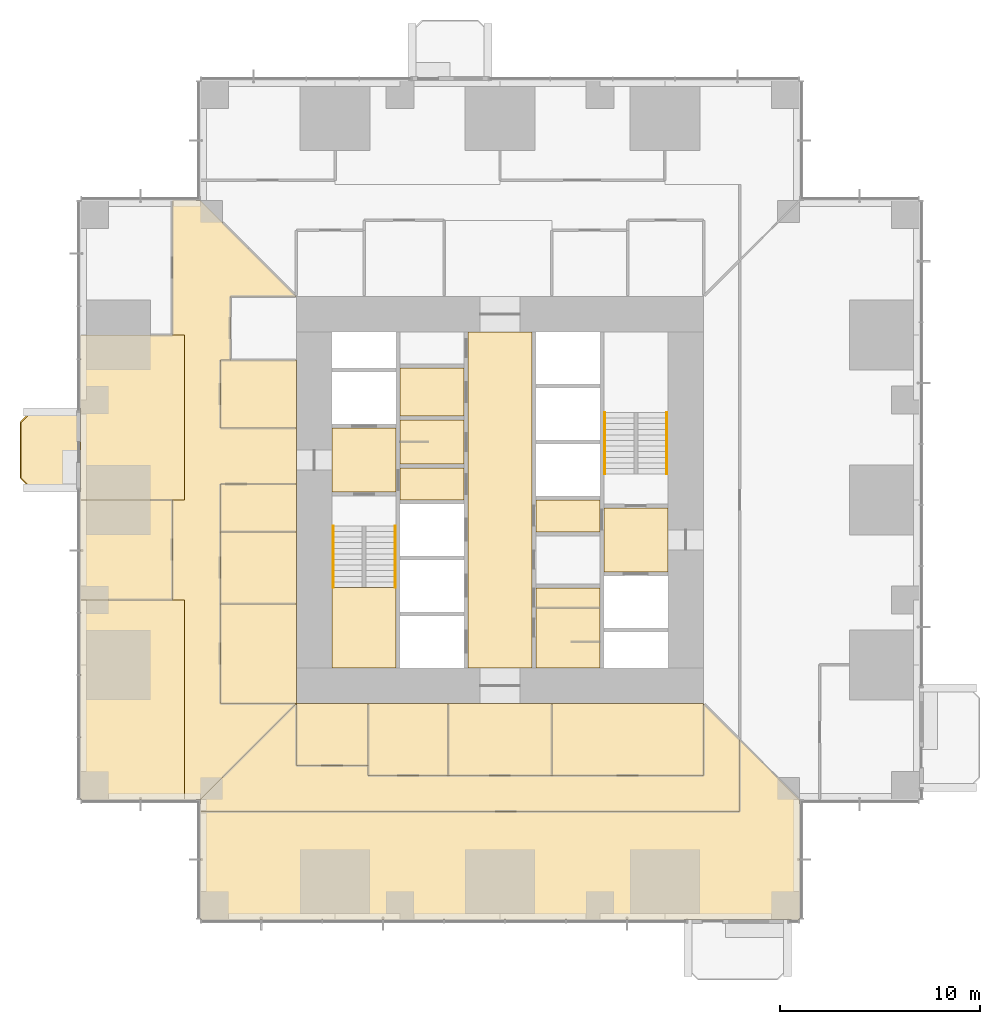
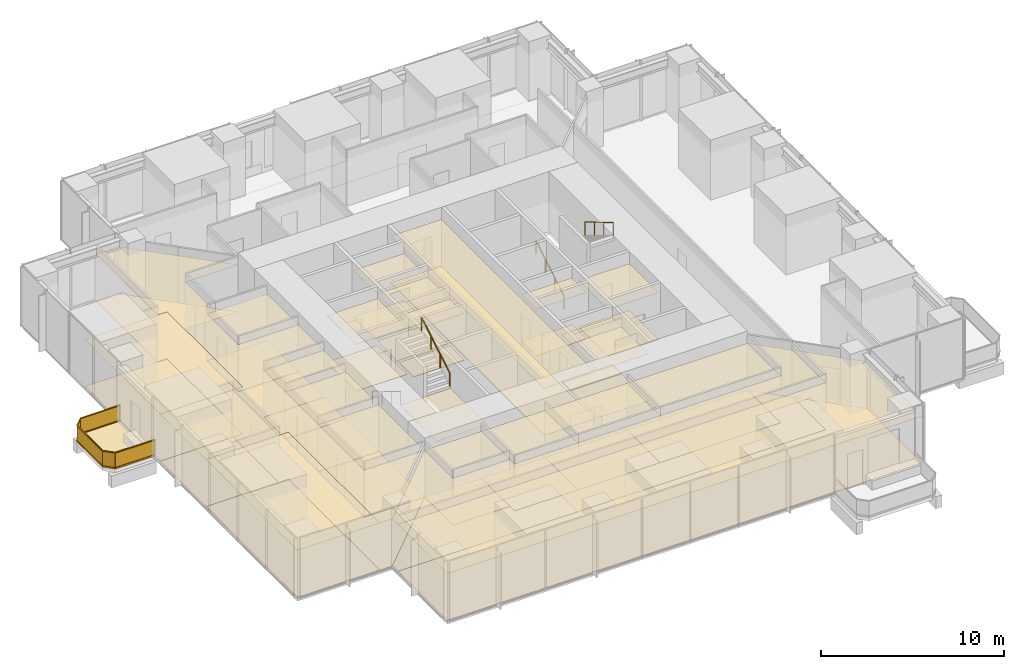
# One storey, part 13 of 15: 48 coverings, 5 railings.
"""IFC4 building model written with IfcOpenShell, lengths in metres."""

import ifcopenshell
import ifcopenshell.guid

model = None  # the IFC model being written
_history = None  # IfcOwnerHistory: only IFC2X3 demands one
_inside = {}  # id of a spatial element -> (the spatial element, [elements in it])
_under = {}  # id of a project, library or spatial element -> (it, [spatial elements below it])
_declared = {}  # id of a project -> (the project, [libraries it declares])
_typed = {}  # id of a type object -> (the type object, [elements of that type])
_made_of = {}  # id of a material, layer set ... -> (it, [elements and type objects made of it])


def new_model(schema):
    """Start an empty IFC model of exactly this schema.

    Asked for "IFC4X3", IfcOpenShell would pick the latest addendum, in which some entities
    have other attributes; the version numbers below select the first issue.
    IFC2X3 requires an IfcOwnerHistory on every rooted entity: one is made here for all.
    """
    global model, _history
    if schema == "IFC4X3":
        model = ifcopenshell.file(schema_version=(4, 3, 0, 0))
    else:
        model = ifcopenshell.file(schema=schema)
    _inside.clear()
    _under.clear()
    _declared.clear()
    _typed.clear()
    _made_of.clear()
    _history = None
    if model.schema == "IFC2X3":
        org = make("IfcOrganization", Name="unknown")
        user = make(
            "IfcPersonAndOrganization",
            ThePerson=make("IfcPerson", FamilyName="unknown"),
            TheOrganization=org,
        )
        app = make(
            "IfcApplication",
            ApplicationDeveloper=org,
            Version="unknown",
            ApplicationFullName="unknown",
            ApplicationIdentifier="unknown",
        )
        _history = make(
            "IfcOwnerHistory",
            OwningUser=user,
            OwningApplication=app,
            ChangeAction="ADDED",
            CreationDate=0,
        )
    return model


def make(cls, **values):
    """One entity of the class cls with the attributes given. An attribute that is None is left unset."""
    return model.create_entity(
        cls, **{name: value for name, value in values.items() if value is not None}
    )


def rooted(cls, **values):
    """An entity with a GlobalId (a new one), such as an element, a storey or a relation."""
    return make(cls, GlobalId=ifcopenshell.guid.new(), OwnerHistory=_history, **values)


def si_unit(unit_type, name, prefix=None):
    """IfcSIUnit, for example si_unit("LENGTHUNIT", "METRE", prefix="MILLI")."""
    return make("IfcSIUnit", UnitType=unit_type, Prefix=prefix, Name=name)


def assignment(units):
    """IfcUnitAssignment: the units of a project."""
    return None if units is None else make("IfcUnitAssignment", Units=units)


def point(xyz):
    """IfcCartesianPoint."""
    return None if xyz is None else make("IfcCartesianPoint", Coordinates=xyz)


def direction(xyz):
    """IfcDirection."""
    return None if xyz is None else make("IfcDirection", DirectionRatios=xyz)


def frame(location, z_axis=None, x_axis=None):
    """IfcAxis2Placement3D, a coordinate frame: its origin and axes. An axis left out is left unset."""
    return make(
        "IfcAxis2Placement3D",
        Location=point(location),
        Axis=direction(z_axis),
        RefDirection=direction(x_axis),
    )


def frame_2d(location, x_axis=None):
    """IfcAxis2Placement2D, a coordinate frame in the plane: its origin and x axis."""
    return make(
        "IfcAxis2Placement2D", Location=point(location), RefDirection=direction(x_axis)
    )


def origin():
    """The frame at (0, 0, 0) with its axes left unset."""
    return frame((0.0, 0.0, 0.0))


def origin_2d():
    """The frame at (0, 0) in the plane with its x axis left unset."""
    return frame_2d((0.0, 0.0))


def place(relative_to, where):
    """IfcLocalPlacement: puts the frame where relative to a parent placement (None: the world)."""
    return make(
        "IfcLocalPlacement", PlacementRelTo=relative_to, RelativePlacement=where
    )


def context(
    kind, dimensions, precision=None, world=None, true_north=None, identifier=None
):
    """IfcGeometricRepresentationContext, for example the 3D "Model" context."""
    return make(
        "IfcGeometricRepresentationContext",
        ContextIdentifier=identifier,
        ContextType=kind,
        CoordinateSpaceDimension=dimensions,
        Precision=precision,
        WorldCoordinateSystem=world,
        TrueNorth=true_north,
    )


def subcontext(parent, identifier, kind, view, scale=None):
    """IfcGeometricRepresentationSubContext, for example "Body" below "Model"."""
    return make(
        "IfcGeometricRepresentationSubContext",
        ContextIdentifier=identifier,
        ContextType=kind,
        ParentContext=parent,
        TargetScale=scale,
        TargetView=view,
    )


def project(units=None, contexts=None):
    """IfcProject with its units and contexts."""
    return rooted(
        "IfcProject",
        Name="project",
        RepresentationContexts=contexts,
        UnitsInContext=assignment(units),
    )


def spatial(cls, under=None, at=None, **own):
    """A site, building, storey or space (cls), placed at a placement, below another one or the project."""
    s = rooted(cls, ObjectPlacement=at, **own)
    if under is not None:
        _under.setdefault(under.id(), (under, []))[1].append(s)
    return s


def polyline(points):
    """IfcPolyline through the points."""
    return make("IfcPolyline", Points=[point(p) for p in points])


def profile(cls, at=None, kind="AREA", **sizes):
    """A parametric profile (cls). Its sizes go by their IFC names, for example OverallWidth=200.0."""
    return make(cls, ProfileType=kind, Position=at, **sizes)


def rectangle(**sizes):
    """IfcRectangleProfileDef."""
    return profile("IfcRectangleProfileDef", **sizes)


def circle(**sizes):
    """IfcCircleProfileDef."""
    return profile("IfcCircleProfileDef", **sizes)


def outline(outer, holes=None, kind="AREA"):
    """IfcArbitraryClosedProfileDef: a profile drawn as a closed curve; with holes, ...WithVoids."""
    if holes is None:
        return make("IfcArbitraryClosedProfileDef", ProfileType=kind, OuterCurve=outer)
    return make(
        "IfcArbitraryProfileDefWithVoids",
        ProfileType=kind,
        OuterCurve=outer,
        InnerCurves=holes,
    )


def extrude(swept, where, along, depth):
    """IfcExtrudedAreaSolid: the profile swept, set in the frame where, extruded along a direction by depth."""
    return make(
        "IfcExtrudedAreaSolid",
        SweptArea=swept,
        Position=where,
        ExtrudedDirection=direction(along),
        Depth=depth,
    )


def shape(context_of_items, identifier, shape_type, items):
    """IfcShapeRepresentation: the items that make up one representation, for example the "Body"."""
    return make(
        "IfcShapeRepresentation",
        ContextOfItems=context_of_items,
        RepresentationIdentifier=identifier,
        RepresentationType=shape_type,
        Items=items,
    )


def material(Name=None, Category=None):
    """IfcMaterial."""
    return make("IfcMaterial", Name=Name, Category=Category)


def layer(
    of_material, thickness, ventilated=None, Name=None, Category=None, Priority=None
):
    """IfcMaterialLayer: one layer of a wall or slab, of a material (None: an air gap)."""
    return make(
        "IfcMaterialLayer",
        Material=of_material,
        LayerThickness=thickness,
        IsVentilated=ventilated,
        Name=Name,
        Category=Category,
        Priority=Priority,
    )


def layer_set(layers, Name=None):
    """IfcMaterialLayerSet."""
    return make("IfcMaterialLayerSet", MaterialLayers=layers, LayerSetName=Name)


def made_of(thing, what):
    """Note that an element or type object is made of a material, layer set ...; save() writes the relation."""
    if what is not None:
        _made_of.setdefault(what.id(), (what, []))[1].append(thing)
    return thing


def type_object(cls, material=None, **own):
    """A type object (cls), such as IfcWallType, which elements share."""
    return made_of(rooted(cls, **own), material)


def element(
    cls,
    number,
    at=None,
    inside=None,
    cuts=None,
    type_object=None,
    material=None,
    context=None,
    identifier="Body",
    shape_type=None,
    held_by="IfcProductDefinitionShape",
    body=None,
    shapes=None,
    **own,
):
    """One element of the class cls, such as IfcWall. Its Tag is "e" and its number.

    at: its placement. inside: the storey or other place that contains it. cuts: it is an
    opening in that element (IfcRelVoidsElement). A single representation is given by context,
    identifier, shape_type and body (its items); several are given by shapes. held_by: the class
    of the entity that holds the representations. save() writes the other relations.
    """
    e = rooted(cls, Tag="e%d" % number, ObjectPlacement=at, **own)
    if body is not None:
        shapes = [shape(context, identifier, shape_type, body)]
    if shapes is not None:
        e.Representation = make(held_by, Representations=shapes)
    if inside is not None:
        _inside.setdefault(inside.id(), (inside, []))[1].append(e)
    if cuts is not None:
        rooted(
            "IfcRelVoidsElement", RelatingBuildingElement=cuts, RelatedOpeningElement=e
        )
    if type_object is not None:
        _typed.setdefault(type_object.id(), (type_object, []))[1].append(e)
    return made_of(e, material)


def aggregate(whole, parts):
    """IfcRelAggregates: a whole, such as a stair, and the parts it consists of."""
    return rooted("IfcRelAggregates", RelatingObject=whole, RelatedObjects=parts)


def save(model, path):
    """Write the relations noted so far, then the file.

    IfcRelAggregates (storeys below a building ...), IfcRelContainedInSpatialStructure (elements
    in a storey), IfcRelDefinesByType, IfcRelAssociatesMaterial and IfcRelDeclares: one each for
    every whole, place, type object, material and project.
    """
    for whole, parts in _under.values():
        aggregate(whole, parts)
    for where, things in _inside.values():
        rooted(
            "IfcRelContainedInSpatialStructure",
            RelatedElements=things,
            RelatingStructure=where,
        )
    for kind, things in _typed.values():
        rooted("IfcRelDefinesByType", RelatedObjects=things, RelatingType=kind)
    for what, things in _made_of.values():
        rooted("IfcRelAssociatesMaterial", RelatedObjects=things, RelatingMaterial=what)
    for by, libraries in _declared.values():
        rooted("IfcRelDeclares", RelatingContext=by, RelatedDefinitions=libraries)
    model.write(path)


model = new_model("IFC4")

# Units and contexts
model_context = context("Model", 3, precision=1e-05, world=origin(), true_north=direction((0.0, 1.0)))
body_context = subcontext(model_context, "Body", "Model", "MODEL_VIEW")
ifc_project = project(units=[si_unit("LENGTHUNIT", "METRE"), si_unit("AREAUNIT", "SQUARE_METRE"), si_unit("VOLUMEUNIT", "CUBIC_METRE"), si_unit("PLANEANGLEUNIT", "RADIAN"), si_unit("MASSUNIT", "GRAM", prefix="KILO")], contexts=[model_context])

# Site, building, storey
site_placement = place(None, origin())
site = spatial("IfcSite", under=ifc_project, at=site_placement, CompositionType="ELEMENT")
building_placement = place(site_placement, origin())
building = spatial("IfcBuilding", under=site, at=building_placement, Name="Svetlomir Tower", CompositionType="ELEMENT")
storey_placement = place(building_placement, frame((0.0, 0.0, 34.5)))
storey = spatial("IfcBuildingStorey", under=building, at=storey_placement, Name="L07", CompositionType="ELEMENT", Elevation=34.5)

# Railing
ifc_material_1 = material(Name="Bronze anodised aluminium and laminated glass", Category="aluminium")
railing_type_1 = type_object("IfcRailingType", Name="BALCONY GUARD GR1 1100", PredefinedType="GUARDRAIL", material=ifc_material_1)
railing_1_placement = place(storey_placement, frame((0.0, 25.39990234375, 0.0)))
element("IfcRailing", 1, at=railing_1_placement, inside=storey, type_object=railing_type_1, Name="Balcony guard W L07", PredefinedType="GUARDRAIL", context=body_context, shape_type="SweptSolid", body=[
    extrude(rectangle(XDim=0.06005859375, YDim=0.10009765625, at=origin_2d()), frame((0.0, 0.0, 0.050048828125), z_axis=(-1.0, 0.0, 0.0), x_axis=(0.0, -1.0, 0.0)), (0.0, 0.0, 1.0), 2.5),
    extrude(rectangle(XDim=0.021484375, YDim=0.960205078125, at=origin_2d()), frame((0.0, 0.0, 0.580078125), z_axis=(-1.0, 0.0, 0.0), x_axis=(0.0, -1.0, 0.0)), (0.0, 0.0, 1.0), 2.5),
    extrude(rectangle(XDim=0.06005859375, YDim=0.0400390625, at=origin_2d()), frame((0.0, 0.0, 1.080078125), z_axis=(-1.0, 0.0, 0.0), x_axis=(0.0, -1.0, 0.0)), (0.0, 0.0, 1.0), 2.5),
    extrude(rectangle(XDim=0.06005859375, YDim=0.10009765625, at=origin_2d()), frame((-2.5, 0.0, 0.050048828125), z_axis=(-0.707106781187, -0.707106781187, 0.0), x_axis=(0.707106781187, -0.707106781187, 0.0)), (0.0, 0.0, 1.0), 0.70703125),
    extrude(rectangle(XDim=0.021484375, YDim=0.960205078125, at=origin_2d()), frame((-2.5, 0.0, 0.580078125), z_axis=(-0.707106781187, -0.707106781187, 0.0), x_axis=(0.707106781187, -0.707106781187, 0.0)), (0.0, 0.0, 1.0), 0.70703125),
    extrude(rectangle(XDim=0.06005859375, YDim=0.0400390625, at=origin_2d()), frame((-2.5, 0.0, 1.080078125), z_axis=(-0.707106781187, -0.707106781187, 0.0), x_axis=(0.707106781187, -0.707106781187, 0.0)), (0.0, 0.0, 1.0), 0.70703125),
    extrude(rectangle(XDim=0.06005859375, YDim=0.10009765625, at=origin_2d()), frame((-3.0, -0.5, 0.050048828125), z_axis=(0.0, -1.0, 0.0), x_axis=(1.0, 0.0, 0.0)), (0.0, 0.0, 1.0), 2.7998046875),
    extrude(rectangle(XDim=0.021484375, YDim=0.960205078125, at=origin_2d()), frame((-3.0, -0.5, 0.580078125), z_axis=(0.0, -1.0, 0.0), x_axis=(1.0, 0.0, 0.0)), (0.0, 0.0, 1.0), 2.7998046875),
    extrude(rectangle(XDim=0.06005859375, YDim=0.0400390625, at=origin_2d()), frame((-3.0, -0.5, 1.080078125), z_axis=(0.0, -1.0, 0.0), x_axis=(1.0, 0.0, 0.0)), (0.0, 0.0, 1.0), 2.7998046875),
    extrude(rectangle(XDim=0.06005859375, YDim=0.10009765625, at=origin_2d()), frame((-3.0, -3.2998046875, 0.050048828125), z_axis=(0.707106781187, -0.707106781187, 0.0), x_axis=(0.707106781187, 0.707106781187, 0.0)), (0.0, 0.0, 1.0), 0.70703125),
    extrude(rectangle(XDim=0.021484375, YDim=0.960205078125, at=origin_2d()), frame((-3.0, -3.2998046875, 0.580078125), z_axis=(0.707106781187, -0.707106781187, 0.0), x_axis=(0.707106781187, 0.707106781187, 0.0)), (0.0, 0.0, 1.0), 0.70703125),
    extrude(rectangle(XDim=0.06005859375, YDim=0.0400390625, at=origin_2d()), frame((-3.0, -3.2998046875, 1.080078125), z_axis=(0.707106781187, -0.707106781187, 0.0), x_axis=(0.707106781187, 0.707106781187, 0.0)), (0.0, 0.0, 1.0), 0.70703125),
    extrude(rectangle(XDim=0.06005859375, YDim=0.10009765625, at=origin_2d()), frame((-2.5, -3.7998046875, 0.050048828125), z_axis=(1.0, 0.0, 0.0), x_axis=(0.0, 1.0, 0.0)), (0.0, 0.0, 1.0), 2.5),
    extrude(rectangle(XDim=0.021484375, YDim=0.960205078125, at=origin_2d()), frame((-2.5, -3.7998046875, 0.580078125), z_axis=(1.0, 0.0, 0.0), x_axis=(0.0, 1.0, 0.0)), (0.0, 0.0, 1.0), 2.5),
    extrude(rectangle(XDim=0.06005859375, YDim=0.0400390625, at=origin_2d()), frame((-2.5, -3.7998046875, 1.080078125), z_axis=(1.0, 0.0, 0.0), x_axis=(0.0, 1.0, 0.0)), (0.0, 0.0, 1.0), 2.5),
])

# Coverings
ifc_material_2 = material(Name="Granite paving slabs on pedestals", Category="masonry")
ifc_layer_1 = layer(ifc_material_2, 0.0400390625)
ifc_layer_set_1 = layer_set([ifc_layer_1], Name="Granite paving slabs on pedestals")
covering_type_1 = type_object("IfcCoveringType", Name="BALCONY PAVING 40", PredefinedType="USERDEFINED", material=ifc_layer_set_1)
covering_1_placement = place(storey_placement, origin())
element("IfcCovering", 2, at=covering_1_placement, inside=storey, type_object=covering_type_1, Name="Balcony paving W L07", ObjectType="BALCONY PAVING", PredefinedType="USERDEFINED", context=body_context, shape_type="SweptSolid", body=[
    extrude(outline(polyline([(-2.5, 21.60009765625), (0.0, 21.60009765625), (0.0, 25.39990234375), (-2.5, 25.39990234375), (-3.0, 24.89990234375), (-3.0, 22.10009765625), (-2.5, 21.60009765625)])), origin(), (0.0, 0.0, 1.0), 0.0400390625),
])
ifc_material_3 = material(Name="Carpet tile", Category="textile")
ifc_layer_2 = layer(ifc_material_3, 0.010009765625)
ifc_layer_set_2 = layer_set([ifc_layer_2], Name="Carpet tile")
covering_type_2 = type_object("IfcCoveringType", Name="CARPET TILE FLOOR 10", PredefinedType="FLOORING", material=ifc_layer_set_2)
covering_2_placement = place(storey_placement, origin())
element("IfcCovering", 3, at=covering_2_placement, inside=storey, type_object=covering_type_2, Name="Floor finish L07-14", PredefinedType="FLOORING", context=body_context, shape_type="SweptSolid", body=[
    extrude(outline(polyline([(10.800048828125, 7.699951171875), (14.39990234375, 7.699951171875), (14.39990234375, 10.800048828125), (10.800048828125, 10.800048828125), (10.800048828125, 7.699951171875)])), origin(), (0.0, 0.0, 1.0), 0.010009765625),
])
covering_3_placement = place(storey_placement, origin())
element("IfcCovering", 4, at=covering_3_placement, inside=storey, type_object=covering_type_2, Name="Floor finish L07-15", PredefinedType="FLOORING", context=body_context, shape_type="SweptSolid", body=[
    extrude(outline(polyline([(14.39990234375, 7.199951171875), (18.39990234375, 7.199951171875), (18.39990234375, 10.800048828125), (14.39990234375, 10.800048828125), (14.39990234375, 7.199951171875)])), origin(), (0.0, 0.0, 1.0), 0.010009765625),
])
covering_4_placement = place(storey_placement, origin())
element("IfcCovering", 5, at=covering_4_placement, inside=storey, type_object=covering_type_2, Name="Floor finish L07-16", PredefinedType="FLOORING", context=body_context, shape_type="SweptSolid", body=[
    extrude(outline(polyline([(23.60009765625, 7.199951171875), (31.199951171875, 7.199951171875), (31.199951171875, 10.800048828125), (23.60009765625, 10.800048828125), (23.60009765625, 7.199951171875)])), origin(), (0.0, 0.0, 1.0), 0.010009765625),
])
covering_5_placement = place(storey_placement, origin())
element("IfcCovering", 6, at=covering_5_placement, inside=storey, type_object=covering_type_2, Name="Floor finish L07-24", PredefinedType="FLOORING", context=body_context, shape_type="SweptSolid", body=[
    extrude(outline(polyline([(7.0, 10.800048828125), (10.800048828125, 10.800048828125), (10.800048828125, 15.800048828125), (7.0, 15.800048828125), (7.0, 10.800048828125)])), origin(), (0.0, 0.0, 1.0), 0.010009765625),
])
covering_6_placement = place(storey_placement, origin())
element("IfcCovering", 7, at=covering_6_placement, inside=storey, type_object=covering_type_2, Name="Floor finish L07-25", PredefinedType="FLOORING", context=body_context, shape_type="SweptSolid", body=[
    extrude(outline(polyline([(7.0, 15.800048828125), (10.800048828125, 15.800048828125), (10.800048828125, 19.39990234375), (7.0, 19.39990234375), (7.0, 15.800048828125)])), origin(), (0.0, 0.0, 1.0), 0.010009765625),
])
covering_7_placement = place(storey_placement, origin())
element("IfcCovering", 8, at=covering_7_placement, inside=storey, type_object=covering_type_2, Name="Floor finish L07-26", PredefinedType="FLOORING", context=body_context, shape_type="SweptSolid", body=[
    extrude(outline(polyline([(7.0, 24.60009765625), (10.800048828125, 24.60009765625), (10.800048828125, 28.0), (7.0, 28.0), (7.0, 24.60009765625)])), origin(), (0.0, 0.0, 1.0), 0.010009765625),
])
covering_8_placement = place(storey_placement, origin())
element("IfcCovering", 9, at=covering_8_placement, inside=storey, type_object=covering_type_2, Name="Floor finish L07-28", PredefinedType="FLOORING", context=body_context, shape_type="SweptSolid", body=[
    extrude(outline(polyline([(0.0, 16.0), (4.60009765625, 16.0), (4.60009765625, 21.0), (0.0, 21.0), (0.0, 16.0)])), origin(), (0.0, 0.0, 1.0), 0.010009765625),
])
covering_9_placement = place(storey_placement, origin())
element("IfcCovering", 10, at=covering_9_placement, inside=storey, type_object=covering_type_2, Name="Floor finish L07-30", PredefinedType="FLOORING", context=body_context, shape_type="SweptSolid", body=[
    extrude(outline(polyline([(33.0, 5.39990234375), (6.0, 5.39990234375), (6.0, 6.0), (10.800048828125, 10.800048828125), (10.800048828125, 7.699951171875), (14.39990234375, 7.699951171875), (14.39990234375, 7.199951171875), (31.199951171875, 7.199951171875), (31.199951171875, 10.800048828125), (33.0, 9.0), (33.0, 5.39990234375)])), origin(), (0.0, 0.0, 1.0), 0.010009765625),
])
covering_10_placement = place(storey_placement, origin())
element("IfcCovering", 11, at=covering_10_placement, inside=storey, type_object=covering_type_2, Name="Floor finish L07-33", PredefinedType="FLOORING", context=body_context, shape_type="SweptSolid", body=[
    extrude(outline(polyline([(5.199951171875, 21.0), (5.199951171875, 29.25), (4.60009765625, 29.25), (4.60009765625, 36.0), (6.0, 36.0), (10.800048828125, 31.199951171875), (7.5, 31.199951171875), (7.5, 28.0), (7.0, 28.0), (7.0, 24.60009765625), (10.800048828125, 24.60009765625), (10.800048828125, 21.800048828125), (7.0, 21.800048828125), (7.0, 10.800048828125), (10.800048828125, 10.800048828125), (6.0, 6.0), (5.199951171875, 6.0), (5.199951171875, 16.0), (4.60009765625, 16.0), (4.60009765625, 21.0), (5.199951171875, 21.0)])), origin(), (0.0, 0.0, 1.0), 0.010009765625),
])
covering_11_placement = place(storey_placement, origin())
element("IfcCovering", 12, at=covering_11_placement, inside=storey, type_object=covering_type_2, Name="Floor finish L07-34", PredefinedType="FLOORING", context=body_context, shape_type="SweptSolid", body=[
    extrude(outline(polyline([(6.0, 0.0), (6.0, 5.39990234375), (33.0, 5.39990234375), (33.0, 9.0), (36.0, 6.0), (36.0, 0.0), (6.0, 0.0)])), origin(), (0.0, 0.0, 1.0), 0.010009765625),
])
covering_12_placement = place(storey_placement, origin())
element("IfcCovering", 13, at=covering_12_placement, inside=storey, type_object=covering_type_2, Name="Floor finish L07-35", PredefinedType="FLOORING", context=body_context, shape_type="SweptSolid", body=[
    extrude(outline(polyline([(23.60009765625, 10.800048828125), (23.60009765625, 7.199951171875), (18.39990234375, 7.199951171875), (18.39990234375, 10.800048828125), (23.60009765625, 10.800048828125)])), origin(), (0.0, 0.0, 1.0), 0.010009765625),
])
covering_13_placement = place(storey_placement, origin())
element("IfcCovering", 14, at=covering_13_placement, inside=storey, type_object=covering_type_2, Name="Floor finish L07-40", PredefinedType="FLOORING", context=body_context, shape_type="SweptSolid", body=[
    extrude(outline(polyline([(0.0, 16.0), (5.199951171875, 16.0), (5.199951171875, 6.0), (0.0, 6.0), (0.0, 16.0)])), origin(), (0.0, 0.0, 1.0), 0.010009765625),
])
covering_14_placement = place(storey_placement, origin())
element("IfcCovering", 15, at=covering_14_placement, inside=storey, type_object=covering_type_2, Name="Floor finish L07-41", PredefinedType="FLOORING", context=body_context, shape_type="SweptSolid", body=[
    extrude(outline(polyline([(0.0, 29.25), (5.199951171875, 29.25), (5.199951171875, 21.0), (0.0, 21.0), (0.0, 29.25)])), origin(), (0.0, 0.0, 1.0), 0.010009765625),
])
covering_15_placement = place(storey_placement, origin())
element("IfcCovering", 16, at=covering_15_placement, inside=storey, type_object=covering_type_2, Name="Floor finish L07-42", PredefinedType="FLOORING", context=body_context, shape_type="SweptSolid", body=[
    extrude(outline(polyline([(7.0, 19.39990234375), (7.0, 21.800048828125), (10.800048828125, 21.800048828125), (10.800048828125, 19.39990234375), (7.0, 19.39990234375)])), origin(), (0.0, 0.0, 1.0), 0.010009765625),
])
ifc_material_4 = material(Name="Ceramic floor tile", Category="ceramic")
ifc_layer_3 = layer(ifc_material_4, 0.014892578125)
ifc_layer_set_3 = layer_set([ifc_layer_3], Name="Ceramic floor tile")
covering_type_3 = type_object("IfcCoveringType", Name="CERAMIC TILE FLOOR 15", PredefinedType="FLOORING", material=ifc_layer_set_3)
covering_16_placement = place(storey_placement, origin())
element("IfcCovering", 17, at=covering_16_placement, inside=storey, type_object=covering_type_3, Name="Floor finish L07-04", PredefinedType="FLOORING", context=body_context, shape_type="SweptSolid", body=[
    extrude(outline(polyline([(16.0, 22.800048828125), (19.199951171875, 22.800048828125), (19.199951171875, 25.0), (16.0, 25.0), (16.0, 22.800048828125)])), origin(), (0.0, 0.0, 1.0), 0.014892578125),
])
covering_17_placement = place(storey_placement, origin())
element("IfcCovering", 18, at=covering_17_placement, inside=storey, type_object=covering_type_3, Name="Floor finish L07-05", PredefinedType="FLOORING", context=body_context, shape_type="SweptSolid", body=[
    extrude(outline(polyline([(16.0, 25.199951171875), (19.199951171875, 25.199951171875), (19.199951171875, 27.60009765625), (16.0, 27.60009765625), (16.0, 25.199951171875)])), origin(), (0.0, 0.0, 1.0), 0.014892578125),
])
covering_18_placement = place(storey_placement, origin())
element("IfcCovering", 19, at=covering_18_placement, inside=storey, type_object=covering_type_3, Name="Floor finish L07-08", PredefinedType="FLOORING", context=body_context, shape_type="SweptSolid", body=[
    extrude(outline(polyline([(22.800048828125, 15.60009765625), (26.0, 15.60009765625), (26.0, 16.60009765625), (22.800048828125, 16.60009765625), (22.800048828125, 15.60009765625)])), origin(), (0.0, 0.0, 1.0), 0.014892578125),
])
covering_19_placement = place(storey_placement, origin())
element("IfcCovering", 20, at=covering_19_placement, inside=storey, type_object=covering_type_3, Name="Floor finish L07-09", PredefinedType="FLOORING", context=body_context, shape_type="SweptSolid", body=[
    extrude(outline(polyline([(22.800048828125, 12.60009765625), (26.0, 12.60009765625), (26.0, 15.60009765625), (22.800048828125, 15.60009765625), (22.800048828125, 12.60009765625)])), origin(), (0.0, 0.0, 1.0), 0.014892578125),
])

# Railings
ifc_material_5 = material(Name="Stainless steel", Category="steel")
railing_type_2 = type_object("IfcRailingType", Name="HANDRAIL HR1 900", PredefinedType="HANDRAIL", material=ifc_material_5)
railing_2_placement = place(storey_placement, frame((12.64990234375, 19.699951171875, 0.166748046875)))
element("IfcRailing", 21, at=railing_2_placement, inside=storey, type_object=railing_type_2, Name="Handrail S1 flight 1 L07", PredefinedType="HANDRAIL", context=body_context, shape_type="SweptSolid", body=[
    extrude(circle(Radius=0.02392578125, at=origin_2d()), frame((0.0, 0.0, 0.8759765625), z_axis=(0.0, -0.859290745958, 0.51148745235), x_axis=(1.0, 0.0, 0.0)), (0.0, 0.0, 1.0), 3.584228515625),
    extrude(circle(Radius=0.02099609375, at=origin_2d()), origin(), (0.0, 0.0, 1.0), 0.851806640625),
    extrude(circle(Radius=0.02099609375, at=origin_2d()), frame((0.0, -1.026611328125, 0.611083984375)), (0.0, 0.0, 1.0), 0.851806640625),
    extrude(circle(Radius=0.02099609375, at=origin_2d()), frame((0.0, -2.05322265625, 1.22216796875)), (0.0, 0.0, 1.0), 0.851806640625),
    extrude(circle(Radius=0.02099609375, at=origin_2d()), frame((0.0, -3.079833984375, 1.833251953125)), (0.0, 0.0, 1.0), 0.851806640625),
])
for number, where, name in (
    (22, (15.75, 16.6201171875, 2.166748046875), "Handrail S1 flight 2 L07"),
    (23, (26.25, 22.300048828125, 0.166748046875), "Handrail S2 flight 1 L07"),
):
    element("IfcRailing", number, at=place(storey_placement, frame(where)), inside=storey, type_object=railing_type_2, Name=name, PredefinedType="HANDRAIL", context=body_context, shape_type="SweptSolid", body=[
        extrude(circle(Radius=0.02392578125, at=origin_2d()), frame((0.0, 0.0, 0.8759765625), z_axis=(0.0, 0.859290745958, 0.51148745235), x_axis=(-1.0, 0.0, 0.0)), (0.0, 0.0, 1.0), 3.584228515625),
        extrude(circle(Radius=0.02099609375, at=origin_2d()), origin(), (0.0, 0.0, 1.0), 0.851806640625),
        extrude(circle(Radius=0.02099609375, at=origin_2d()), frame((0.0, 1.026611328125, 0.611083984375)), (0.0, 0.0, 1.0), 0.851806640625),
        extrude(circle(Radius=0.02099609375, at=origin_2d()), frame((0.0, 2.05322265625, 1.22216796875)), (0.0, 0.0, 1.0), 0.851806640625),
        extrude(circle(Radius=0.02099609375, at=origin_2d()), frame((0.0, 3.079833984375, 1.833251953125)), (0.0, 0.0, 1.0), 0.851806640625),
    ])
railing_3_placement = place(storey_placement, frame((29.35009765625, 25.3798828125, 2.166748046875)))
element("IfcRailing", 24, at=railing_3_placement, inside=storey, type_object=railing_type_2, Name="Handrail S2 flight 2 L07", PredefinedType="HANDRAIL", context=body_context, shape_type="SweptSolid", body=[
    extrude(circle(Radius=0.02392578125, at=origin_2d()), frame((0.0, 0.0, 0.8759765625), z_axis=(0.0, -0.859290745958, 0.51148745235), x_axis=(1.0, 0.0, 0.0)), (0.0, 0.0, 1.0), 3.584228515625),
    extrude(circle(Radius=0.02099609375, at=origin_2d()), origin(), (0.0, 0.0, 1.0), 0.851806640625),
    extrude(circle(Radius=0.02099609375, at=origin_2d()), frame((0.0, -1.026611328125, 0.611083984375)), (0.0, 0.0, 1.0), 0.851806640625),
    extrude(circle(Radius=0.02099609375, at=origin_2d()), frame((0.0, -2.05322265625, 1.22216796875)), (0.0, 0.0, 1.0), 0.851806640625),
    extrude(circle(Radius=0.02099609375, at=origin_2d()), frame((0.0, -3.079833984375, 1.833251953125)), (0.0, 0.0, 1.0), 0.851806640625),
])

# Coverings
ifc_material_6 = material(Name="Moisture resistant plasterboard ceiling", Category="gypsum")
ifc_layer_4 = layer(ifc_material_6, 0.012451171875)
ifc_layer_set_4 = layer_set([ifc_layer_4], Name="Moisture resistant plasterboard ceiling")
covering_type_4 = type_object("IfcCoveringType", Name="MOISTURE RESISTANT CEILING 12.5", PredefinedType="CEILING", material=ifc_layer_set_4)
covering_20_placement = place(storey_placement, frame((0.0, 0.0, 3.137451171875)))
element("IfcCovering", 25, at=covering_20_placement, inside=storey, type_object=covering_type_4, Name="Ceiling L07-04", PredefinedType="CEILING", context=body_context, shape_type="SweptSolid", body=[
    extrude(outline(polyline([(16.0, 22.800048828125), (19.199951171875, 22.800048828125), (19.199951171875, 25.0), (16.0, 25.0), (16.0, 22.800048828125)])), origin(), (0.0, 0.0, 1.0), 0.012451171875),
])
covering_21_placement = place(storey_placement, frame((0.0, 0.0, 3.137451171875)))
element("IfcCovering", 26, at=covering_21_placement, inside=storey, type_object=covering_type_4, Name="Ceiling L07-05", PredefinedType="CEILING", context=body_context, shape_type="SweptSolid", body=[
    extrude(outline(polyline([(16.0, 25.199951171875), (19.199951171875, 25.199951171875), (19.199951171875, 27.60009765625), (16.0, 27.60009765625), (16.0, 25.199951171875)])), origin(), (0.0, 0.0, 1.0), 0.012451171875),
])
covering_22_placement = place(storey_placement, frame((0.0, 0.0, 3.137451171875)))
element("IfcCovering", 27, at=covering_22_placement, inside=storey, type_object=covering_type_4, Name="Ceiling L07-08", PredefinedType="CEILING", context=body_context, shape_type="SweptSolid", body=[
    extrude(outline(polyline([(22.800048828125, 15.60009765625), (26.0, 15.60009765625), (26.0, 16.60009765625), (22.800048828125, 16.60009765625), (22.800048828125, 15.60009765625)])), origin(), (0.0, 0.0, 1.0), 0.012451171875),
])
covering_23_placement = place(storey_placement, frame((0.0, 0.0, 3.137451171875)))
element("IfcCovering", 28, at=covering_23_placement, inside=storey, type_object=covering_type_4, Name="Ceiling L07-09", PredefinedType="CEILING", context=body_context, shape_type="SweptSolid", body=[
    extrude(outline(polyline([(22.800048828125, 12.60009765625), (26.0, 12.60009765625), (26.0, 15.60009765625), (22.800048828125, 15.60009765625), (22.800048828125, 12.60009765625)])), origin(), (0.0, 0.0, 1.0), 0.012451171875),
])
ifc_material_7 = material(Name="Gypsum plasterboard ceiling", Category="gypsum")
ifc_layer_5 = layer(ifc_material_7, 0.014892578125)
ifc_layer_set_5 = layer_set([ifc_layer_5], Name="Gypsum plasterboard ceiling")
covering_type_5 = type_object("IfcCoveringType", Name="PLASTERBOARD CEILING 15", PredefinedType="CEILING", material=ifc_layer_set_5)
covering_24_placement = place(storey_placement, frame((0.0, 0.0, 3.135009765625)))
element("IfcCovering", 29, at=covering_24_placement, inside=storey, type_object=covering_type_5, Name="Ceiling L07-02", PredefinedType="CEILING", context=body_context, shape_type="SweptSolid", body=[
    extrude(outline(polyline([(12.60009765625, 21.39990234375), (15.800048828125, 21.39990234375), (15.800048828125, 24.60009765625), (12.60009765625, 24.60009765625), (12.60009765625, 21.39990234375)])), origin(), (0.0, 0.0, 1.0), 0.014892578125),
])
covering_25_placement = place(storey_placement, frame((0.0, 0.0, 3.135009765625)))
element("IfcCovering", 30, at=covering_25_placement, inside=storey, type_object=covering_type_5, Name="Ceiling L07-03", PredefinedType="CEILING", context=body_context, shape_type="SweptSolid", body=[
    extrude(outline(polyline([(16.0, 21.0), (19.199951171875, 21.0), (19.199951171875, 22.60009765625), (16.0, 22.60009765625), (16.0, 21.0)])), origin(), (0.0, 0.0, 1.0), 0.014892578125),
])
covering_26_placement = place(storey_placement, frame((0.0, 0.0, 3.135009765625)))
element("IfcCovering", 31, at=covering_26_placement, inside=storey, type_object=covering_type_5, Name="Ceiling L07-07", PredefinedType="CEILING", context=body_context, shape_type="SweptSolid", body=[
    extrude(outline(polyline([(19.39990234375, 12.60009765625), (22.60009765625, 12.60009765625), (22.60009765625, 29.39990234375), (19.39990234375, 29.39990234375), (19.39990234375, 12.60009765625)])), origin(), (0.0, 0.0, 1.0), 0.014892578125),
])
covering_27_placement = place(storey_placement, frame((0.0, 0.0, 3.135009765625)))
element("IfcCovering", 32, at=covering_27_placement, inside=storey, type_object=covering_type_5, Name="Ceiling L07-11", PredefinedType="CEILING", context=body_context, shape_type="SweptSolid", body=[
    extrude(outline(polyline([(22.800048828125, 19.39990234375), (26.0, 19.39990234375), (26.0, 21.0), (22.800048828125, 21.0), (22.800048828125, 19.39990234375)])), origin(), (0.0, 0.0, 1.0), 0.014892578125),
])
covering_28_placement = place(storey_placement, frame((0.0, 0.0, 3.135009765625)))
element("IfcCovering", 33, at=covering_28_placement, inside=storey, type_object=covering_type_5, Name="Ceiling L07-12", PredefinedType="CEILING", context=body_context, shape_type="SweptSolid", body=[
    extrude(outline(polyline([(26.199951171875, 17.39990234375), (29.39990234375, 17.39990234375), (29.39990234375, 20.60009765625), (26.199951171875, 20.60009765625), (26.199951171875, 17.39990234375)])), origin(), (0.0, 0.0, 1.0), 0.014892578125),
])
ifc_material_8 = material(Name="Studded rubber floor finish", Category="rubber")
ifc_layer_6 = layer(ifc_material_8, 0.006103515625)
ifc_layer_set_6 = layer_set([ifc_layer_6], Name="Studded rubber floor finish")
covering_type_6 = type_object("IfcCoveringType", Name="RUBBER LANDING FINISH 6", PredefinedType="FLOORING", material=ifc_layer_set_6)
covering_29_placement = place(storey_placement, frame((0.0, 0.0, 2.0)))
element("IfcCovering", 34, at=covering_29_placement, inside=storey, type_object=covering_type_6, Name="Stair S1 landing finish L07", PredefinedType="FLOORING", context=body_context, shape_type="SweptSolid", body=[
    extrude(outline(polyline([(12.60009765625, 12.60009765625), (15.800048828125, 12.60009765625), (15.800048828125, 16.6201171875), (12.60009765625, 16.6201171875), (12.60009765625, 12.60009765625)])), origin(), (0.0, 0.0, 1.0), 0.006103515625),
])
ifc_material_9 = material(Name="Mineral fibre ceiling tile", Category="mineral")
ifc_layer_7 = layer(ifc_material_9, 0.02001953125)
ifc_layer_set_7 = layer_set([ifc_layer_7], Name="Mineral fibre ceiling tile")
covering_type_7 = type_object("IfcCoveringType", Name="SUSPENDED CEILING 20", PredefinedType="CEILING", material=ifc_layer_set_7)
covering_30_placement = place(storey_placement, frame((0.0, 0.0, 3.1298828125)))
element("IfcCovering", 35, at=covering_30_placement, inside=storey, type_object=covering_type_7, Name="Ceiling L07-14", PredefinedType="CEILING", context=body_context, shape_type="SweptSolid", body=[
    extrude(outline(polyline([(10.800048828125, 7.699951171875), (14.39990234375, 7.699951171875), (14.39990234375, 10.800048828125), (10.800048828125, 10.800048828125), (10.800048828125, 7.699951171875)])), origin(), (0.0, 0.0, 1.0), 0.02001953125),
])
covering_31_placement = place(storey_placement, frame((0.0, 0.0, 3.1298828125)))
element("IfcCovering", 36, at=covering_31_placement, inside=storey, type_object=covering_type_7, Name="Ceiling L07-15", PredefinedType="CEILING", context=body_context, shape_type="SweptSolid", body=[
    extrude(outline(polyline([(14.39990234375, 7.199951171875), (18.39990234375, 7.199951171875), (18.39990234375, 10.800048828125), (14.39990234375, 10.800048828125), (14.39990234375, 7.199951171875)])), origin(), (0.0, 0.0, 1.0), 0.02001953125),
])
covering_32_placement = place(storey_placement, frame((0.0, 0.0, 3.1298828125)))
element("IfcCovering", 37, at=covering_32_placement, inside=storey, type_object=covering_type_7, Name="Ceiling L07-16", PredefinedType="CEILING", context=body_context, shape_type="SweptSolid", body=[
    extrude(outline(polyline([(23.60009765625, 7.199951171875), (31.199951171875, 7.199951171875), (31.199951171875, 10.800048828125), (23.60009765625, 10.800048828125), (23.60009765625, 7.199951171875)])), origin(), (0.0, 0.0, 1.0), 0.02001953125),
])
covering_33_placement = place(storey_placement, frame((0.0, 0.0, 3.1298828125)))
element("IfcCovering", 38, at=covering_33_placement, inside=storey, type_object=covering_type_7, Name="Ceiling L07-24", PredefinedType="CEILING", context=body_context, shape_type="SweptSolid", body=[
    extrude(outline(polyline([(7.0, 10.800048828125), (10.800048828125, 10.800048828125), (10.800048828125, 15.800048828125), (7.0, 15.800048828125), (7.0, 10.800048828125)])), origin(), (0.0, 0.0, 1.0), 0.02001953125),
])
covering_34_placement = place(storey_placement, frame((0.0, 0.0, 3.1298828125)))
element("IfcCovering", 39, at=covering_34_placement, inside=storey, type_object=covering_type_7, Name="Ceiling L07-25", PredefinedType="CEILING", context=body_context, shape_type="SweptSolid", body=[
    extrude(outline(polyline([(7.0, 15.800048828125), (10.800048828125, 15.800048828125), (10.800048828125, 19.39990234375), (7.0, 19.39990234375), (7.0, 15.800048828125)])), origin(), (0.0, 0.0, 1.0), 0.02001953125),
])
covering_35_placement = place(storey_placement, frame((0.0, 0.0, 3.1298828125)))
element("IfcCovering", 40, at=covering_35_placement, inside=storey, type_object=covering_type_7, Name="Ceiling L07-26", PredefinedType="CEILING", context=body_context, shape_type="SweptSolid", body=[
    extrude(outline(polyline([(7.0, 24.60009765625), (10.800048828125, 24.60009765625), (10.800048828125, 28.0), (7.0, 28.0), (7.0, 24.60009765625)])), origin(), (0.0, 0.0, 1.0), 0.02001953125),
])
covering_36_placement = place(storey_placement, frame((0.0, 0.0, 3.1298828125)))
element("IfcCovering", 41, at=covering_36_placement, inside=storey, type_object=covering_type_7, Name="Ceiling L07-28", PredefinedType="CEILING", context=body_context, shape_type="SweptSolid", body=[
    extrude(outline(polyline([(0.0, 16.0), (4.60009765625, 16.0), (4.60009765625, 21.0), (0.0, 21.0), (0.0, 16.0)])), origin(), (0.0, 0.0, 1.0), 0.02001953125),
])
covering_37_placement = place(storey_placement, frame((0.0, 0.0, 3.1298828125)))
element("IfcCovering", 42, at=covering_37_placement, inside=storey, type_object=covering_type_7, Name="Ceiling L07-30", PredefinedType="CEILING", context=body_context, shape_type="SweptSolid", body=[
    extrude(outline(polyline([(33.0, 5.39990234375), (6.0, 5.39990234375), (6.0, 6.0), (10.800048828125, 10.800048828125), (10.800048828125, 7.699951171875), (14.39990234375, 7.699951171875), (14.39990234375, 7.199951171875), (31.199951171875, 7.199951171875), (31.199951171875, 10.800048828125), (33.0, 9.0), (33.0, 5.39990234375)])), origin(), (0.0, 0.0, 1.0), 0.02001953125),
])
covering_38_placement = place(storey_placement, frame((0.0, 0.0, 3.1298828125)))
element("IfcCovering", 43, at=covering_38_placement, inside=storey, type_object=covering_type_7, Name="Ceiling L07-33", PredefinedType="CEILING", context=body_context, shape_type="SweptSolid", body=[
    extrude(outline(polyline([(5.199951171875, 21.0), (5.199951171875, 29.25), (4.60009765625, 29.25), (4.60009765625, 36.0), (6.0, 36.0), (10.800048828125, 31.199951171875), (7.5, 31.199951171875), (7.5, 28.0), (7.0, 28.0), (7.0, 24.60009765625), (10.800048828125, 24.60009765625), (10.800048828125, 21.800048828125), (7.0, 21.800048828125), (7.0, 10.800048828125), (10.800048828125, 10.800048828125), (6.0, 6.0), (5.199951171875, 6.0), (5.199951171875, 16.0), (4.60009765625, 16.0), (4.60009765625, 21.0), (5.199951171875, 21.0)])), origin(), (0.0, 0.0, 1.0), 0.02001953125),
])
covering_39_placement = place(storey_placement, frame((0.0, 0.0, 3.1298828125)))
element("IfcCovering", 44, at=covering_39_placement, inside=storey, type_object=covering_type_7, Name="Ceiling L07-34", PredefinedType="CEILING", context=body_context, shape_type="SweptSolid", body=[
    extrude(outline(polyline([(6.0, 0.0), (6.0, 5.39990234375), (33.0, 5.39990234375), (33.0, 9.0), (36.0, 6.0), (36.0, 0.0), (6.0, 0.0)])), origin(), (0.0, 0.0, 1.0), 0.02001953125),
])
covering_40_placement = place(storey_placement, frame((0.0, 0.0, 3.1298828125)))
element("IfcCovering", 45, at=covering_40_placement, inside=storey, type_object=covering_type_7, Name="Ceiling L07-35", PredefinedType="CEILING", context=body_context, shape_type="SweptSolid", body=[
    extrude(outline(polyline([(23.60009765625, 10.800048828125), (23.60009765625, 7.199951171875), (18.39990234375, 7.199951171875), (18.39990234375, 10.800048828125), (23.60009765625, 10.800048828125)])), origin(), (0.0, 0.0, 1.0), 0.02001953125),
])
covering_41_placement = place(storey_placement, frame((0.0, 0.0, 3.1298828125)))
element("IfcCovering", 46, at=covering_41_placement, inside=storey, type_object=covering_type_7, Name="Ceiling L07-40", PredefinedType="CEILING", context=body_context, shape_type="SweptSolid", body=[
    extrude(outline(polyline([(0.0, 16.0), (5.199951171875, 16.0), (5.199951171875, 6.0), (0.0, 6.0), (0.0, 16.0)])), origin(), (0.0, 0.0, 1.0), 0.02001953125),
])
covering_42_placement = place(storey_placement, frame((0.0, 0.0, 3.1298828125)))
element("IfcCovering", 47, at=covering_42_placement, inside=storey, type_object=covering_type_7, Name="Ceiling L07-41", PredefinedType="CEILING", context=body_context, shape_type="SweptSolid", body=[
    extrude(outline(polyline([(0.0, 29.25), (5.199951171875, 29.25), (5.199951171875, 21.0), (0.0, 21.0), (0.0, 29.25)])), origin(), (0.0, 0.0, 1.0), 0.02001953125),
])
covering_43_placement = place(storey_placement, frame((0.0, 0.0, 3.1298828125)))
element("IfcCovering", 48, at=covering_43_placement, inside=storey, type_object=covering_type_7, Name="Ceiling L07-42", PredefinedType="CEILING", context=body_context, shape_type="SweptSolid", body=[
    extrude(outline(polyline([(7.0, 19.39990234375), (7.0, 21.800048828125), (10.800048828125, 21.800048828125), (10.800048828125, 19.39990234375), (7.0, 19.39990234375)])), origin(), (0.0, 0.0, 1.0), 0.02001953125),
])
ifc_material_10 = material(Name="Bronze-aggregate terrazzo", Category="stone")
ifc_layer_8 = layer(ifc_material_10, 0.030029296875)
ifc_layer_set_8 = layer_set([ifc_layer_8], Name="Bronze-aggregate terrazzo")
covering_type_8 = type_object("IfcCoveringType", Name="TERRAZZO FLOOR 30", PredefinedType="FLOORING", material=ifc_layer_set_8)
covering_44_placement = place(storey_placement, origin())
element("IfcCovering", 49, at=covering_44_placement, inside=storey, type_object=covering_type_8, Name="Floor finish L07-02", PredefinedType="FLOORING", context=body_context, shape_type="SweptSolid", body=[
    extrude(outline(polyline([(12.60009765625, 21.39990234375), (15.800048828125, 21.39990234375), (15.800048828125, 24.60009765625), (12.60009765625, 24.60009765625), (12.60009765625, 21.39990234375)])), origin(), (0.0, 0.0, 1.0), 0.030029296875),
])
covering_45_placement = place(storey_placement, origin())
element("IfcCovering", 50, at=covering_45_placement, inside=storey, type_object=covering_type_8, Name="Floor finish L07-03", PredefinedType="FLOORING", context=body_context, shape_type="SweptSolid", body=[
    extrude(outline(polyline([(16.0, 21.0), (19.199951171875, 21.0), (19.199951171875, 22.60009765625), (16.0, 22.60009765625), (16.0, 21.0)])), origin(), (0.0, 0.0, 1.0), 0.030029296875),
])
covering_46_placement = place(storey_placement, origin())
element("IfcCovering", 51, at=covering_46_placement, inside=storey, type_object=covering_type_8, Name="Floor finish L07-07", PredefinedType="FLOORING", context=body_context, shape_type="SweptSolid", body=[
    extrude(outline(polyline([(19.39990234375, 12.60009765625), (22.60009765625, 12.60009765625), (22.60009765625, 29.39990234375), (19.39990234375, 29.39990234375), (19.39990234375, 12.60009765625)])), origin(), (0.0, 0.0, 1.0), 0.030029296875),
])
covering_47_placement = place(storey_placement, origin())
element("IfcCovering", 52, at=covering_47_placement, inside=storey, type_object=covering_type_8, Name="Floor finish L07-11", PredefinedType="FLOORING", context=body_context, shape_type="SweptSolid", body=[
    extrude(outline(polyline([(22.800048828125, 19.39990234375), (26.0, 19.39990234375), (26.0, 21.0), (22.800048828125, 21.0), (22.800048828125, 19.39990234375)])), origin(), (0.0, 0.0, 1.0), 0.030029296875),
])
covering_48_placement = place(storey_placement, origin())
element("IfcCovering", 53, at=covering_48_placement, inside=storey, type_object=covering_type_8, Name="Floor finish L07-12", PredefinedType="FLOORING", context=body_context, shape_type="SweptSolid", body=[
    extrude(outline(polyline([(26.199951171875, 17.39990234375), (29.39990234375, 17.39990234375), (29.39990234375, 20.60009765625), (26.199951171875, 20.60009765625), (26.199951171875, 17.39990234375)])), origin(), (0.0, 0.0, 1.0), 0.030029296875),
])

save(model, "model.ifc")
